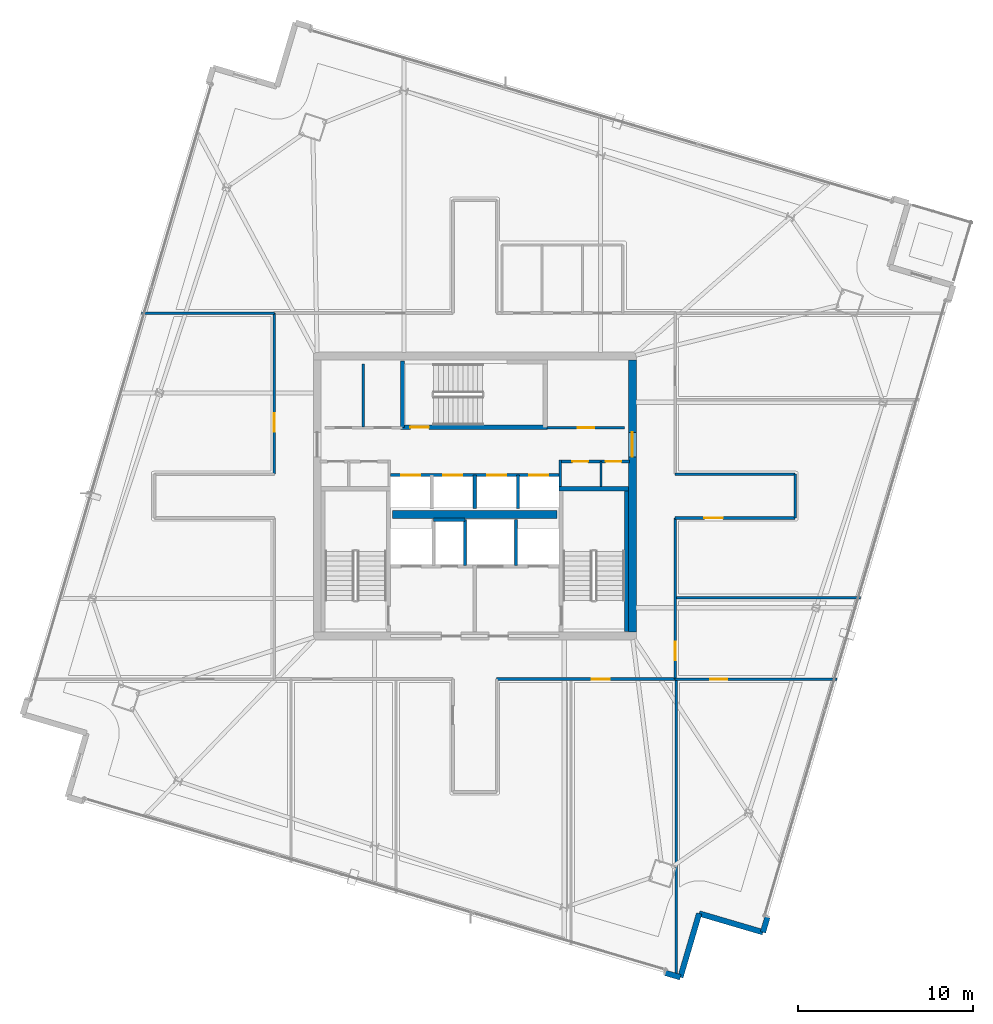
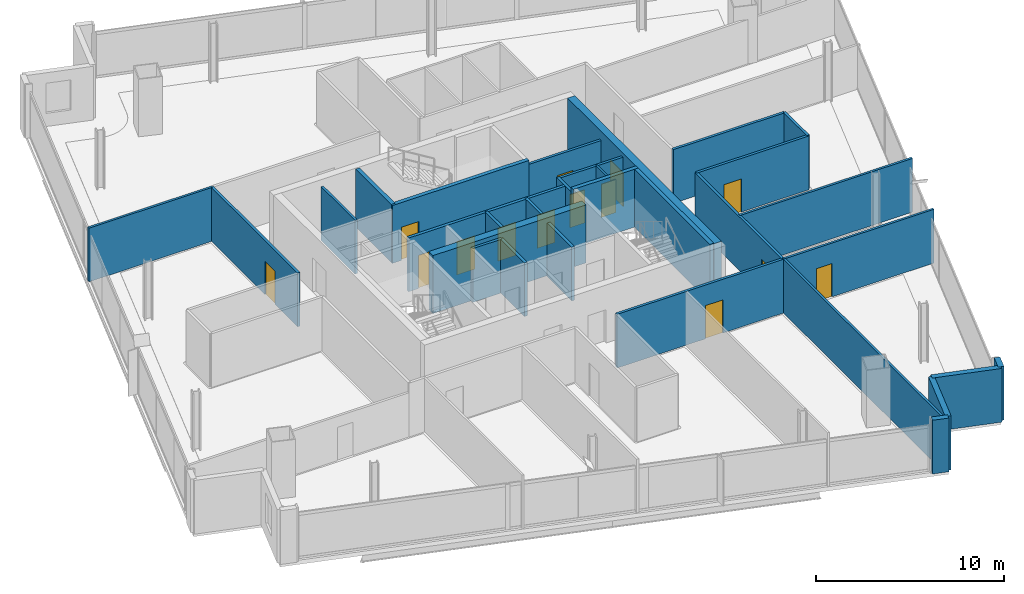
# One storey, part 21 of 26: 31 walls, 14 doors, 14 openings.
"""IFC4 building model written with IfcOpenShell, lengths in metres."""

from ifc_helpers import new_model, si_unit, direction, frame, frame_2d, origin, place, context, subcontext, project, spatial, rectangle, extrude, material, layer, layer_set, type_object, element, fill, save


model = new_model("IFC4")

# Units and contexts
model_context = context("Model", 3, precision=1e-05, world=origin(), true_north=direction((0.0, 1.0)))
body_context = subcontext(model_context, "Body", "Model", "MODEL_VIEW")
ifc_project = project(units=[si_unit("LENGTHUNIT", "METRE"), si_unit("AREAUNIT", "SQUARE_METRE"), si_unit("VOLUMEUNIT", "CUBIC_METRE"), si_unit("PLANEANGLEUNIT", "RADIAN"), si_unit("MASSUNIT", "GRAM", prefix="KILO")], contexts=[model_context])

# Site, building, storey
site_placement = place(None, origin())
site = spatial("IfcSite", under=ifc_project, at=site_placement, CompositionType="ELEMENT")
building_placement = place(site_placement, origin())
building = spatial("IfcBuilding", under=site, at=building_placement, Name="Haldenkirk Collegiate Tower", CompositionType="ELEMENT")
storey_placement = place(building_placement, frame((0.0, 0.0, 274.949951171875)))
storey = spatial("IfcBuildingStorey", under=building, at=storey_placement, Name="L69", CompositionType="ELEMENT", Elevation=274.949951171875)

# Wall, opening, door
ifc_material_1 = material(Name="Concrete f'c 55 MPa", Category="concrete")
ifc_layer_1 = layer(ifc_material_1, 0.449951171875)
ifc_layer_set_1 = layer_set([ifc_layer_1], Name="Concrete f'c 55 MPa")
wall_type_1 = type_object("IfcWallType", Name="WL-CORE-450", PredefinedType="SHEAR", material=ifc_layer_set_1)
wall_1_placement = place(storey_placement, frame((45.0, 18.22509765625, 0.0), z_axis=(0.0, 0.0, 1.0), x_axis=(0.0, 1.0, 0.0)))
wall_1 = element("IfcWall", 1, at=wall_1_placement, inside=storey, type_object=wall_type_1, Name="L69 central core shear wall E", PredefinedType="SHEAR", context=body_context, shape_type="SweptSolid", body=[
    extrude(rectangle(XDim=15.5498046875, YDim=0.449951171875, at=frame_2d((7.77490234375, 0.0))), origin(), (0.0, 0.0, 1.0), 3.75),
])
opening_1_placement = place(wall_1_placement, frame((10.014892578125, 0.0, 0.0)))
opening_1 = element("IfcOpeningElement", 2, at=opening_1_placement, cuts=wall_1, Name="Opening D-03", PredefinedType="OPENING", context=body_context, shape_type="SweptSolid", body=[
    extrude(rectangle(XDim=1.39990234375, YDim=2.199951171875, at=frame_2d((0.699951171875, 1.10009765625))), frame((0.0, 0.23486328125, 0.0), z_axis=(0.0, -1.0, 0.0), x_axis=(1.0, 0.0, 0.0)), (0.0, 0.0, 1.0), 0.469970703125),
])
ifc_material_2 = material(Name="Galvanized fire-rated hollow steel door", Category="steel")
ifc_layer_2 = layer(ifc_material_2, 0.06005859375)
ifc_layer_set_2 = layer_set([ifc_layer_2], Name="Galvanized fire-rated hollow steel door")
door_type_1 = type_object("IfcDoorType", Name="DR-LOBBY-FD90-1400", OperationType="NOTDEFINED", PredefinedType="DOOR", material=ifc_layer_set_2)
door_1_placement = place(opening_1_placement, origin())
door_1 = element("IfcDoor", 3, at=door_1_placement, inside=storey, type_object=door_type_1, Name="L69 east lift lobby portal", OperationType="DOUBLE_DOOR_SINGLE_SWING", OverallHeight=2.199951171875, OverallWidth=1.39990234375, PredefinedType="DOOR", context=body_context, shape_type="SweptSolid", body=[
    extrude(rectangle(XDim=1.39990234375, YDim=2.199951171875, at=frame_2d((0.699951171875, 1.10009765625))), frame((0.0, 0.02490234375, 0.0), z_axis=(0.0, -1.0, 0.0), x_axis=(1.0, 0.0, 0.0)), (0.0, 0.0, 1.0), 0.050048828125),
])
fill(opening_1, door_1)

# Walls
wall_2_placement = place(storey_placement, frame((31.31005859375, 24.949951171875, 0.0), z_axis=(0.0, 0.0, 1.0), x_axis=(1.0, 0.0, 0.0)))
element("IfcWall", 4, at=wall_2_placement, inside=storey, type_object=wall_type_1, Name="L69 central core spine shear wall", PredefinedType="SHEAR", context=body_context, shape_type="SweptSolid", body=[
    extrude(rectangle(XDim=9.3798828125, YDim=0.449951171875, at=frame_2d((4.68994140625, 0.0))), origin(), (0.0, 0.0, 1.0), 3.75),
])
ifc_material_3 = material(Name="Precast concrete f'c 40 MPa", Category="concrete")
ifc_layer_3 = layer(ifc_material_3, 0.320068359375)
ifc_layer_set_3 = layer_set([ifc_layer_3], Name="Precast concrete f'c 40 MPa")
wall_type_2 = type_object("IfcWallType", Name="WL-EXT-TWR-320", PredefinedType="STANDARD", material=ifc_layer_set_3)
for number, where, z_axis, x_axis, name in (
    (5, (52.71533203125, 1.9521484375, 0.0), (0.0, 0.0, 1.0), (-0.282416007669, -0.959292029891, 0.0), "L69 precast corner pier SR"),
    (6, (47.742919921875, -1.483642578125, 0.0), (0.0, 0.0, 1.0), (-0.959292029891, 0.282416007669, 0.0), "L69 precast corner pier WL"),
):
    element("IfcWall", number, at=place(storey_placement, frame(where, z_axis=z_axis, x_axis=x_axis)), inside=storey, type_object=wall_type_2, Name=name, PredefinedType="STANDARD", context=body_context, shape_type="SweptSolid", body=[
        extrude(rectangle(XDim=0.89990234375, YDim=0.320068359375, at=frame_2d((0.449951171875, 0.0))), origin(), (0.0, 0.0, 1.0), 3.47998046875),
    ])
for number, where, z_axis, x_axis, name in (
    (7, (48.81591796875, 2.16162109375, 0.0), (0.0, 0.0, 1.0), (-0.282375024752, -0.959304094329, 0.0), "L69 bronze precast notch wall 11"),
    (8, (52.461181640625, 1.0888671875, 0.0), (0.0, 0.0, 1.0), (-0.959321496859, 0.282315896939, 0.0), "L69 bronze precast notch wall 12"),
):
    element("IfcWall", number, at=place(storey_placement, frame(where, z_axis=z_axis, x_axis=x_axis)), inside=storey, type_object=wall_type_2, Name=name, PredefinedType="STANDARD", context=body_context, shape_type="SweptSolid", body=[
        extrude(rectangle(XDim=3.7998046875, YDim=0.320068359375, at=frame_2d((1.89990234375, 0.0))), origin(), (0.0, 0.0, 1.0), 3.47998046875),
    ])

# Wall, openings, doors
ifc_material_4 = material(Name="Acoustic fire-rated gypsum partition", Category="concrete")
ifc_layer_4 = layer(ifc_material_4, 0.159912109375)
ifc_layer_set_4 = layer_set([ifc_layer_4], Name="Acoustic fire-rated gypsum partition")
wall_type_3 = type_object("IfcWallType", Name="WL-INT-CORR-160", PredefinedType="PARTITIONING", material=ifc_layer_set_4)
wall_3_placement = place(storey_placement, frame((40.800048828125, 27.97998046875, 0.0), z_axis=(0.0, 0.0, 1.0), x_axis=(1.0, 0.0, 0.0)))
wall_3 = element("IfcWall", 9, at=wall_3_placement, inside=storey, type_object=wall_type_3, Name="L69 interior partition IW-L69-VCSE-N", PredefinedType="PARTITIONING", context=body_context, shape_type="SweptSolid", body=[
    extrude(rectangle(XDim=4.050048828125, YDim=0.159912109375, at=frame_2d((2.02490234375, 0.0))), origin(), (0.0, 0.0, 1.0), 3.47998046875),
])
opening_2_placement = place(wall_3_placement, frame((0.77001953125, 0.0, 0.0)))
opening_2 = element("IfcOpeningElement", 10, at=opening_2_placement, cuts=wall_3, Name="Opening D-11", PredefinedType="OPENING", context=body_context, shape_type="SweptSolid", body=[
    extrude(rectangle(XDim=0.89990234375, YDim=2.14990234375, at=frame_2d((0.449951171875, 1.074951171875))), frame((0.0, 0.08984375, 0.0), z_axis=(0.0, -1.0, 0.0), x_axis=(1.0, 0.0, 0.0)), (0.0, 0.0, 1.0), 0.179931640625),
])
opening_3_placement = place(wall_3_placement, frame((2.679931640625, 0.0, 0.0)))
opening_3 = element("IfcOpeningElement", 11, at=opening_3_placement, cuts=wall_3, Name="Opening D-11", PredefinedType="OPENING", context=body_context, shape_type="SweptSolid", body=[
    extrude(rectangle(XDim=0.89990234375, YDim=2.14990234375, at=frame_2d((0.449951171875, 1.074951171875))), frame((0.0, 0.08984375, 0.0), z_axis=(0.0, -1.0, 0.0), x_axis=(1.0, 0.0, 0.0)), (0.0, 0.0, 1.0), 0.179931640625),
])
ifc_material_5 = material(Name="Solid-core architectural oak fire door", Category="wood")
ifc_layer_5 = layer(ifc_material_5, 0.06005859375)
ifc_layer_set_5 = layer_set([ifc_layer_5], Name="Solid-core architectural oak fire door")
door_type_2 = type_object("IfcDoorType", Name="DR-INT-FD60-900", OperationType="NOTDEFINED", PredefinedType="DOOR", material=ifc_layer_set_5)
door_2_placement = place(opening_2_placement, origin())
door_2 = element("IfcDoor", 12, at=door_2_placement, inside=storey, type_object=door_type_2, Name="L69 core archive door", OperationType="SINGLE_SWING_LEFT", OverallHeight=2.14990234375, OverallWidth=0.89990234375, PredefinedType="DOOR", context=body_context, shape_type="SweptSolid", body=[
    extrude(rectangle(XDim=0.89990234375, YDim=2.14990234375, at=frame_2d((0.449951171875, 1.074951171875))), frame((0.0, 0.02490234375, 0.0), z_axis=(0.0, -1.0, 0.0), x_axis=(1.0, 0.0, 0.0)), (0.0, 0.0, 1.0), 0.050048828125),
])
fill(opening_2, door_2)
door_3_placement = place(opening_3_placement, origin())
door_3 = element("IfcDoor", 13, at=door_3_placement, inside=storey, type_object=door_type_2, Name="L69 core telecom door", OperationType="SINGLE_SWING_RIGHT", OverallHeight=2.14990234375, OverallWidth=0.89990234375, PredefinedType="DOOR", context=body_context, shape_type="SweptSolid", body=[
    extrude(rectangle(XDim=0.89990234375, YDim=2.14990234375, at=frame_2d((0.449951171875, 1.074951171875))), frame((0.0, 0.02490234375, 0.0), z_axis=(0.0, -1.0, 0.0), x_axis=(1.0, 0.0, 0.0)), (0.0, 0.0, 1.0), 0.050048828125),
])
fill(opening_3, door_3)

# Wall
wall_4_placement = place(storey_placement, frame((40.8798828125, 26.5400390625, 0.0), z_axis=(0.0, 0.0, 1.0), x_axis=(0.0, 1.0, 0.0)))
element("IfcWall", 14, at=wall_4_placement, inside=storey, type_object=wall_type_3, Name="L69 interior partition IW-L69-VCSE-W", PredefinedType="PARTITIONING", context=body_context, shape_type="SweptSolid", body=[
    extrude(rectangle(XDim=1.510009765625, YDim=0.159912109375, at=frame_2d((0.7548828125, 0.0))), origin(), (0.0, 0.0, 1.0), 3.47998046875),
])

# Wall, opening, door
wall_5_placement = place(storey_placement, frame((40.1201171875, 29.89990234375, 0.0), z_axis=(0.0, 0.0, 1.0), x_axis=(1.0, 0.0, 0.0)))
wall_5 = element("IfcWall", 15, at=wall_5_placement, inside=storey, type_object=wall_type_3, Name="L69 interior partition IW-L69-PMS", PredefinedType="PARTITIONING", context=body_context, shape_type="SweptSolid", body=[
    extrude(rectangle(XDim=4.429931640625, YDim=0.159912109375, at=frame_2d((2.21484375, 0.0))), origin(), (0.0, 0.0, 1.0), 3.47998046875),
])
opening_4_placement = place(wall_5_placement, frame((1.7548828125, 0.0, 0.0)))
opening_4 = element("IfcOpeningElement", 16, at=opening_4_placement, cuts=wall_5, Name="Opening D-10", PredefinedType="OPENING", context=body_context, shape_type="SweptSolid", body=[
    extrude(rectangle(XDim=0.949951171875, YDim=2.14990234375, at=frame_2d((0.47509765625, 1.074951171875))), frame((0.0, 0.08984375, 0.0), z_axis=(0.0, -1.0, 0.0), x_axis=(1.0, 0.0, 0.0)), (0.0, 0.0, 1.0), 0.179931640625),
])
ifc_layer_6 = layer(ifc_material_5, 0.06005859375)
ifc_layer_set_6 = layer_set([ifc_layer_6], Name="Solid-core architectural oak fire door")
door_type_3 = type_object("IfcDoorType", Name="DR-INT-FD60-950", OperationType="NOTDEFINED", PredefinedType="DOOR", material=ifc_layer_set_6)
door_4_placement = place(opening_4_placement, origin())
door_4 = element("IfcDoor", 17, at=door_4_placement, inside=storey, type_object=door_type_3, Name="L69 reference archive door", OperationType="SINGLE_SWING_LEFT", OverallHeight=2.14990234375, OverallWidth=0.949951171875, PredefinedType="DOOR", context=body_context, shape_type="SweptSolid", body=[
    extrude(rectangle(XDim=0.949951171875, YDim=2.14990234375, at=frame_2d((0.47509765625, 1.074951171875))), frame((0.0, 0.02490234375, 0.0), z_axis=(0.0, -1.0, 0.0), x_axis=(1.0, 0.0, 0.0)), (0.0, 0.0, 1.0), 0.050048828125),
])
fill(opening_4, door_4)

wall_6_placement = place(storey_placement, frame((37.25, 15.550048828125, 0.0), z_axis=(0.0, 0.0, 1.0), x_axis=(1.0, 0.0, 0.0)))
wall_6 = element("IfcWall", 18, at=wall_6_placement, inside=storey, type_object=wall_type_3, Name="L69 interior partition IW-L69-CS2", PredefinedType="PARTITIONING", context=body_context, shape_type="SweptSolid", body=[
    extrude(rectangle(XDim=10.25, YDim=0.159912109375, at=frame_2d((5.125, 0.0))), origin(), (0.0, 0.0, 1.0), 3.47998046875),
])
opening_5_placement = place(wall_6_placement, frame((5.4189453125, 0.0, 0.0)))
opening_5 = element("IfcOpeningElement", 19, at=opening_5_placement, cuts=wall_6, Name="Opening D-09", PredefinedType="OPENING", context=body_context, shape_type="SweptSolid", body=[
    extrude(rectangle(XDim=1.050048828125, YDim=2.14990234375, at=frame_2d((0.52490234375, 1.074951171875))), frame((0.0, 0.08984375, 0.0), z_axis=(0.0, -1.0, 0.0), x_axis=(1.0, 0.0, 0.0)), (0.0, 0.0, 1.0), 0.179931640625),
])
ifc_layer_7 = layer(ifc_material_5, 0.06005859375)
ifc_layer_set_7 = layer_set([ifc_layer_7], Name="Solid-core architectural oak fire door")
door_type_4 = type_object("IfcDoorType", Name="DR-INT-FD60-1050", OperationType="NOTDEFINED", PredefinedType="DOOR", material=ifc_layer_set_7)
door_5_placement = place(opening_5_placement, origin())
door_5 = element("IfcDoor", 20, at=door_5_placement, inside=storey, type_object=door_type_4, Name="L69 Faculty Club Lounge 4 door", OperationType="SINGLE_SWING_RIGHT", OverallHeight=2.14990234375, OverallWidth=1.050048828125, PredefinedType="DOOR", context=body_context, shape_type="SweptSolid", body=[
    extrude(rectangle(XDim=1.050048828125, YDim=2.14990234375, at=frame_2d((0.52490234375, 1.074951171875))), frame((0.0, 0.02490234375, 0.0), z_axis=(0.0, -1.0, 0.0), x_axis=(1.0, 0.0, 0.0)), (0.0, 0.0, 1.0), 0.050048828125),
])
fill(opening_5, door_5)

wall_7_placement = place(storey_placement, frame((24.550048828125, 27.25, 0.0), z_axis=(0.0, 0.0, 1.0), x_axis=(0.0, 1.0, 0.0)))
wall_7 = element("IfcWall", 21, at=wall_7_placement, inside=storey, type_object=wall_type_3, Name="L69 interior partition IW-L69-CW2", PredefinedType="PARTITIONING", context=body_context, shape_type="SweptSolid", body=[
    extrude(rectangle(XDim=9.199951171875, YDim=0.159912109375, at=frame_2d((4.60009765625, 0.0))), origin(), (0.0, 0.0, 1.0), 3.47998046875),
])
opening_6_placement = place(wall_7_placement, frame((2.4189453125, 0.0, 0.0)))
opening_6 = element("IfcOpeningElement", 22, at=opening_6_placement, cuts=wall_7, Name="Opening D-09", PredefinedType="OPENING", context=body_context, shape_type="SweptSolid", body=[
    extrude(rectangle(XDim=1.050048828125, YDim=2.14990234375, at=frame_2d((0.52490234375, 1.074951171875))), frame((0.0, 0.08984375, 0.0), z_axis=(0.0, -1.0, 0.0), x_axis=(1.0, 0.0, 0.0)), (0.0, 0.0, 1.0), 0.179931640625),
])
door_6_placement = place(opening_6_placement, origin())
door_6 = element("IfcDoor", 23, at=door_6_placement, inside=storey, type_object=door_type_4, Name="L69 Collegiate Commons Lounge 7 door", OperationType="SINGLE_SWING_LEFT", OverallHeight=2.14990234375, OverallWidth=1.050048828125, PredefinedType="DOOR", context=body_context, shape_type="SweptSolid", body=[
    extrude(rectangle(XDim=1.050048828125, YDim=2.14990234375, at=frame_2d((0.52490234375, 1.074951171875))), frame((0.0, 0.02490234375, 0.0), z_axis=(0.0, -1.0, 0.0), x_axis=(1.0, 0.0, 0.0)), (0.0, 0.0, 1.0), 0.050048828125),
])
fill(opening_6, door_6)

wall_8_placement = place(storey_placement, frame((47.449951171875, 15.550048828125, 0.0), z_axis=(0.0, 0.0, 1.0), x_axis=(0.0, 1.0, 0.0)))
wall_8 = element("IfcWall", 24, at=wall_8_placement, inside=storey, type_object=wall_type_3, Name="L69 interior partition IW-L69-CE1", PredefinedType="PARTITIONING", context=body_context, shape_type="SweptSolid", body=[
    extrude(rectangle(XDim=9.199951171875, YDim=0.159912109375, at=frame_2d((4.60009765625, 0.0))), origin(), (0.0, 0.0, 1.0), 3.47998046875),
])
opening_7_placement = place(wall_8_placement, frame((1.069091796875, 0.0, 0.0)))
opening_7 = element("IfcOpeningElement", 25, at=opening_7_placement, cuts=wall_8, Name="Opening D-09", PredefinedType="OPENING", context=body_context, shape_type="SweptSolid", body=[
    extrude(rectangle(XDim=1.050048828125, YDim=2.14990234375, at=frame_2d((0.52490234375, 1.074951171875))), frame((0.0, 0.08984375, 0.0), z_axis=(0.0, -1.0, 0.0), x_axis=(1.0, 0.0, 0.0)), (0.0, 0.0, 1.0), 0.179931640625),
])
door_7_placement = place(opening_7_placement, origin())
door_7 = element("IfcDoor", 26, at=door_7_placement, inside=storey, type_object=door_type_4, Name="L69 Student Reading Lounge 8 door", OperationType="SINGLE_SWING_RIGHT", OverallHeight=2.14990234375, OverallWidth=1.050048828125, PredefinedType="DOOR", context=body_context, shape_type="SweptSolid", body=[
    extrude(rectangle(XDim=1.050048828125, YDim=2.14990234375, at=frame_2d((0.52490234375, 1.074951171875))), frame((0.0, 0.02490234375, 0.0), z_axis=(0.0, -1.0, 0.0), x_axis=(1.0, 0.0, 0.0)), (0.0, 0.0, 1.0), 0.050048828125),
])
fill(opening_7, door_7)

wall_9_placement = place(storey_placement, frame((47.449951171875, 24.75, 0.0), z_axis=(0.0, 0.0, 1.0), x_axis=(1.0, 0.0, 0.0)))
wall_9 = element("IfcWall", 27, at=wall_9_placement, inside=storey, type_object=wall_type_3, Name="L69 interior partition IW-L69-EPS", PredefinedType="PARTITIONING", context=body_context, shape_type="SweptSolid", body=[
    extrude(rectangle(XDim=6.85009765625, YDim=0.159912109375, at=frame_2d((3.425048828125, 0.0))), origin(), (0.0, 0.0, 1.0), 3.47998046875),
])
opening_8_placement = place(wall_9_placement, frame((1.6669921875, 0.0, 0.0)))
opening_8 = element("IfcOpeningElement", 28, at=opening_8_placement, cuts=wall_9, Name="Opening D-09", PredefinedType="OPENING", context=body_context, shape_type="SweptSolid", body=[
    extrude(rectangle(XDim=1.050048828125, YDim=2.14990234375, at=frame_2d((0.52490234375, 1.074951171875))), frame((0.0, 0.08984375, 0.0), z_axis=(0.0, -1.0, 0.0), x_axis=(1.0, 0.0, 0.0)), (0.0, 0.0, 1.0), 0.179931640625),
])
door_8_placement = place(opening_8_placement, origin())
door_8 = element("IfcDoor", 29, at=door_8_placement, inside=storey, type_object=door_type_4, Name="L69 Graduate Study Lounge 9 door", OperationType="SINGLE_SWING_LEFT", OverallHeight=2.14990234375, OverallWidth=1.050048828125, PredefinedType="DOOR", context=body_context, shape_type="SweptSolid", body=[
    extrude(rectangle(XDim=1.050048828125, YDim=2.14990234375, at=frame_2d((0.52490234375, 1.074951171875))), frame((0.0, 0.02490234375, 0.0), z_axis=(0.0, -1.0, 0.0), x_axis=(1.0, 0.0, 0.0)), (0.0, 0.0, 1.0), 0.050048828125),
])
fill(opening_8, door_8)

# Walls
wall_10_placement = place(storey_placement, frame((47.449951171875, 27.25, 0.0), z_axis=(0.0, 0.0, 1.0), x_axis=(1.0, 0.0, 0.0)))
element("IfcWall", 30, at=wall_10_placement, inside=storey, type_object=wall_type_3, Name="L69 interior partition IW-L69-EPN", PredefinedType="PARTITIONING", context=body_context, shape_type="SweptSolid", body=[
    extrude(rectangle(XDim=6.85009765625, YDim=0.159912109375, at=frame_2d((3.425048828125, 0.0))), origin(), (0.0, 0.0, 1.0), 3.47998046875),
])
wall_11_placement = place(storey_placement, frame((54.300048828125, 24.75, 0.0), z_axis=(0.0, 0.0, 1.0), x_axis=(0.0, 1.0, 0.0)))
element("IfcWall", 31, at=wall_11_placement, inside=storey, type_object=wall_type_3, Name="L69 interior partition IW-L69-EPE", PredefinedType="PARTITIONING", context=body_context, shape_type="SweptSolid", body=[
    extrude(rectangle(XDim=2.5, YDim=0.159912109375, at=frame_2d((1.25, 0.0))), origin(), (0.0, 0.0, 1.0), 3.47998046875),
])
ifc_layer_8 = layer(ifc_material_4, 0.139892578125)
ifc_layer_set_8 = layer_set([ifc_layer_8], Name="Acoustic fire-rated gypsum partition")
wall_type_4 = type_object("IfcWallType", Name="WL-INT-DIV-140", PredefinedType="PARTITIONING", material=ifc_layer_set_8)
wall_12_placement = place(storey_placement, frame((29.6201171875, 29.949951171875, 0.0), z_axis=(0.0, 0.0, 1.0), x_axis=(0.0, 1.0, 0.0)))
element("IfcWall", 32, at=wall_12_placement, inside=storey, type_object=wall_type_4, Name="L69 interior partition IW-L69-PLDIV", PredefinedType="PARTITIONING", context=body_context, shape_type="SweptSolid", body=[
    extrude(rectangle(XDim=3.60009765625, YDim=0.139892578125, at=frame_2d((1.800048828125, 0.0))), origin(), (0.0, 0.0, 1.0), 3.47998046875),
])
wall_13_placement = place(storey_placement, frame((16.966064453125, 36.449951171875, 0.0), z_axis=(0.0, 0.0, 1.0), x_axis=(1.0, 0.0, 0.0)))
element("IfcWall", 33, at=wall_13_placement, inside=storey, type_object=wall_type_4, Name="L69 interior partition IW-L69-BWN", PredefinedType="PARTITIONING", context=body_context, shape_type="SweptSolid", body=[
    extrude(rectangle(XDim=7.583984375, YDim=0.139892578125, at=frame_2d((3.7919921875, 0.0))), origin(), (0.0, 0.0, 1.0), 3.47998046875),
])

# Wall, opening, door
wall_14_placement = place(storey_placement, frame((47.449951171875, 15.550048828125, 0.0), z_axis=(0.0, 0.0, 1.0), x_axis=(1.0, 0.0, 0.0)))
wall_14 = element("IfcWall", 34, at=wall_14_placement, inside=storey, type_object=wall_type_4, Name="L69 interior partition IW-L69-BES", PredefinedType="PARTITIONING", context=body_context, shape_type="SweptSolid", body=[
    extrude(rectangle(XDim=9.225830078125, YDim=0.139892578125, at=frame_2d((4.61279296875, 0.0))), origin(), (0.0, 0.0, 1.0), 3.47998046875),
])
opening_9_placement = place(wall_14_placement, frame((2.008056640625, 0.0, 0.0)))
opening_9 = element("IfcOpeningElement", 35, at=opening_9_placement, cuts=wall_14, Name="Opening D-12", PredefinedType="OPENING", context=body_context, shape_type="SweptSolid", body=[
    extrude(rectangle(XDim=0.949951171875, YDim=2.14990234375, at=frame_2d((0.47509765625, 1.074951171875))), frame((0.0, 0.079833984375, 0.0), z_axis=(0.0, -1.0, 0.0), x_axis=(1.0, 0.0, 0.0)), (0.0, 0.0, 1.0), 0.159912109375),
])
ifc_layer_9 = layer(ifc_material_5, 0.06005859375)
ifc_layer_set_9 = layer_set([ifc_layer_9], Name="Solid-core architectural oak fire door")
door_type_5 = type_object("IfcDoorType", Name="DR-INT-STD-950", OperationType="NOTDEFINED", PredefinedType="DOOR", material=ifc_layer_set_9)
door_9_placement = place(opening_9_placement, origin())
door_9 = element("IfcDoor", 36, at=door_9_placement, inside=storey, type_object=door_type_5, Name="L69 Periodical Reading Lounge 5 door", OperationType="SINGLE_SWING_LEFT", OverallHeight=2.14990234375, OverallWidth=0.949951171875, PredefinedType="DOOR", context=body_context, shape_type="SweptSolid", body=[
    extrude(rectangle(XDim=0.949951171875, YDim=2.14990234375, at=frame_2d((0.47509765625, 1.074951171875))), frame((0.0, 0.02490234375, 0.0), z_axis=(0.0, -1.0, 0.0), x_axis=(1.0, 0.0, 0.0)), (0.0, 0.0, 1.0), 0.050048828125),
])
fill(opening_9, door_9)

# Walls
wall_15_placement = place(storey_placement, frame((47.5, -1.37060546875, 0.0), z_axis=(0.0, 0.0, 1.0), x_axis=(0.0, 1.0, 0.0)))
element("IfcWall", 37, at=wall_15_placement, inside=storey, type_object=wall_type_4, Name="L69 interior partition IW-L69-RS4", PredefinedType="PARTITIONING", context=body_context, shape_type="SweptSolid", body=[
    extrude(rectangle(XDim=16.920654296875, YDim=0.139892578125, at=frame_2d((8.46044921875, 0.0))), origin(), (0.0, 0.0, 1.0), 3.47998046875),
])
wall_16_placement = place(storey_placement, frame((47.449951171875, 20.199951171875, 0.0), z_axis=(0.0, 0.0, 1.0), x_axis=(1.0, 0.0, 0.0)))
element("IfcWall", 38, at=wall_16_placement, inside=storey, type_object=wall_type_4, Name="L69 interior partition IW-L69-RE1", PredefinedType="PARTITIONING", context=body_context, shape_type="SweptSolid", body=[
    extrude(rectangle(XDim=10.59423828125, YDim=0.139892578125, at=frame_2d((5.297119140625, 0.0))), origin(), (0.0, 0.0, 1.0), 3.47998046875),
])
ifc_material_6 = material(Name="Fire-rated gypsum shaftboard assembly", Category="concrete")
ifc_layer_10 = layer(ifc_material_6, 0.179931640625)
ifc_layer_set_10 = layer_set([ifc_layer_10], Name="Fire-rated gypsum shaftboard assembly")
wall_type_5 = type_object("IfcWallType", Name="WL-INT-SHAFT-180", PredefinedType="PARTITIONING", material=ifc_layer_set_10)
wall_17_placement = place(storey_placement, frame((35.449951171875, 22.050048828125, 0.0), z_axis=(0.0, 0.0, 1.0), x_axis=(0.0, 1.0, 0.0)))
element("IfcWall", 39, at=wall_17_placement, inside=storey, type_object=wall_type_5, Name="L69 interior partition IW-L69-GL1W", PredefinedType="PARTITIONING", context=body_context, shape_type="SweptSolid", body=[
    extrude(rectangle(XDim=2.599853515625, YDim=0.179931640625, at=frame_2d((1.2998046875, 0.0))), origin(), (0.0, 0.0, 1.0), 3.47998046875),
])
wall_18_placement = place(storey_placement, frame((33.64990234375, 24.64990234375, 0.0), z_axis=(0.0, 0.0, 1.0), x_axis=(1.0, 0.0, 0.0)))
element("IfcWall", 40, at=wall_18_placement, inside=storey, type_object=wall_type_5, Name="L69 interior partition IW-L69-RSRN", PredefinedType="PARTITIONING", context=body_context, shape_type="SweptSolid", body=[
    extrude(rectangle(XDim=1.800048828125, YDim=0.179931640625, at=frame_2d((0.89990234375, 0.0))), origin(), (0.0, 0.0, 1.0), 3.47998046875),
])
wall_19_placement = place(storey_placement, frame((38.35009765625, 22.050048828125, 0.0), z_axis=(0.0, 0.0, 1.0), x_axis=(0.0, 1.0, 0.0)))
element("IfcWall", 41, at=wall_19_placement, inside=storey, type_object=wall_type_5, Name="L69 interior partition IW-L69-GL1E", PredefinedType="PARTITIONING", context=body_context, shape_type="SweptSolid", body=[
    extrude(rectangle(XDim=2.599853515625, YDim=0.179931640625, at=frame_2d((1.2998046875, 0.0))), origin(), (0.0, 0.0, 1.0), 3.47998046875),
])

# Wall, openings, doors
wall_20_placement = place(storey_placement, frame((31.199951171875, 27.199951171875, 0.0), z_axis=(0.0, 0.0, 1.0), x_axis=(1.0, 0.0, 0.0)))
wall_20 = element("IfcWall", 42, at=wall_20_placement, inside=storey, type_object=wall_type_5, Name="L69 interior partition IW-L69-PHN", PredefinedType="PARTITIONING", context=body_context, shape_type="SweptSolid", body=[
    extrude(rectangle(XDim=9.60009765625, YDim=0.179931640625, at=frame_2d((4.800048828125, 0.0))), origin(), (0.0, 0.0, 1.0), 3.47998046875),
])
opening_10_placement = place(wall_20_placement, frame((0.590087890625, 0.0, 0.0)))
opening_10 = element("IfcOpeningElement", 43, at=opening_10_placement, cuts=wall_20, Name="Opening LD-11", PredefinedType="OPENING", context=body_context, shape_type="SweptSolid", body=[
    extrude(rectangle(XDim=1.10009765625, YDim=2.14990234375, at=frame_2d((0.550048828125, 1.074951171875))), frame((0.0, 0.099853515625, 0.0), z_axis=(0.0, -1.0, 0.0), x_axis=(1.0, 0.0, 0.0)), (0.0, 0.0, 1.0), 0.199951171875),
])
opening_11_placement = place(wall_20_placement, frame((2.989990234375, 0.0, 0.0)))
opening_11 = element("IfcOpeningElement", 44, at=opening_11_placement, cuts=wall_20, Name="Opening LD-11", PredefinedType="OPENING", context=body_context, shape_type="SweptSolid", body=[
    extrude(rectangle(XDim=1.10009765625, YDim=2.14990234375, at=frame_2d((0.550048828125, 1.074951171875))), frame((0.0, 0.099853515625, 0.0), z_axis=(0.0, -1.0, 0.0), x_axis=(1.0, 0.0, 0.0)), (0.0, 0.0, 1.0), 0.199951171875),
])
opening_12_placement = place(wall_20_placement, frame((5.510009765625, 0.0, 0.0)))
opening_12 = element("IfcOpeningElement", 45, at=opening_12_placement, cuts=wall_20, Name="Opening LD-11", PredefinedType="OPENING", context=body_context, shape_type="SweptSolid", body=[
    extrude(rectangle(XDim=1.10009765625, YDim=2.14990234375, at=frame_2d((0.550048828125, 1.074951171875))), frame((0.0, 0.099853515625, 0.0), z_axis=(0.0, -1.0, 0.0), x_axis=(1.0, 0.0, 0.0)), (0.0, 0.0, 1.0), 0.199951171875),
])
opening_13_placement = place(wall_20_placement, frame((7.909912109375, 0.0, 0.0)))
opening_13 = element("IfcOpeningElement", 46, at=opening_13_placement, cuts=wall_20, Name="Opening LD-11", PredefinedType="OPENING", context=body_context, shape_type="SweptSolid", body=[
    extrude(rectangle(XDim=1.10009765625, YDim=2.14990234375, at=frame_2d((0.550048828125, 1.074951171875))), frame((0.0, 0.099853515625, 0.0), z_axis=(0.0, -1.0, 0.0), x_axis=(1.0, 0.0, 0.0)), (0.0, 0.0, 1.0), 0.199951171875),
])
ifc_material_7 = material(Name="Brushed architectural stainless steel", Category="steel")
ifc_layer_11 = layer(ifc_material_7, 0.06005859375)
ifc_layer_set_11 = layer_set([ifc_layer_11], Name="Brushed architectural stainless steel")
door_type_6 = type_object("IfcDoorType", Name="LD-PASS-1100", OperationType="NOTDEFINED", PredefinedType="DOOR", material=ifc_layer_set_11)
door_10_placement = place(opening_10_placement, origin())
door_10 = element("IfcDoor", 47, at=door_10_placement, inside=storey, type_object=door_type_6, Name="L69 Elevator PH1 sliding landing door", OperationType="SLIDING_TO_LEFT", OverallHeight=2.14990234375, OverallWidth=1.10009765625, PredefinedType="DOOR", context=body_context, shape_type="SweptSolid", body=[
    extrude(rectangle(XDim=1.10009765625, YDim=2.14990234375, at=frame_2d((0.550048828125, 1.074951171875))), frame((0.0, 0.02490234375, 0.0), z_axis=(0.0, -1.0, 0.0), x_axis=(1.0, 0.0, 0.0)), (0.0, 0.0, 1.0), 0.050048828125),
])
fill(opening_10, door_10)
door_11_placement = place(opening_11_placement, origin())
door_11 = element("IfcDoor", 48, at=door_11_placement, inside=storey, type_object=door_type_6, Name="L69 Elevator PH2 sliding landing door", OperationType="SLIDING_TO_LEFT", OverallHeight=2.14990234375, OverallWidth=1.10009765625, PredefinedType="DOOR", context=body_context, shape_type="SweptSolid", body=[
    extrude(rectangle(XDim=1.10009765625, YDim=2.14990234375, at=frame_2d((0.550048828125, 1.074951171875))), frame((0.0, 0.02490234375, 0.0), z_axis=(0.0, -1.0, 0.0), x_axis=(1.0, 0.0, 0.0)), (0.0, 0.0, 1.0), 0.050048828125),
])
fill(opening_11, door_11)
door_12_placement = place(opening_12_placement, origin())
door_12 = element("IfcDoor", 49, at=door_12_placement, inside=storey, type_object=door_type_6, Name="L69 Elevator PH3 sliding landing door", OperationType="SLIDING_TO_LEFT", OverallHeight=2.14990234375, OverallWidth=1.10009765625, PredefinedType="DOOR", context=body_context, shape_type="SweptSolid", body=[
    extrude(rectangle(XDim=1.10009765625, YDim=2.14990234375, at=frame_2d((0.550048828125, 1.074951171875))), frame((0.0, 0.02490234375, 0.0), z_axis=(0.0, -1.0, 0.0), x_axis=(1.0, 0.0, 0.0)), (0.0, 0.0, 1.0), 0.050048828125),
])
fill(opening_12, door_12)
door_13_placement = place(opening_13_placement, origin())
door_13 = element("IfcDoor", 50, at=door_13_placement, inside=storey, type_object=door_type_6, Name="L69 Elevator PH4 sliding landing door", OperationType="SLIDING_TO_LEFT", OverallHeight=2.14990234375, OverallWidth=1.10009765625, PredefinedType="DOOR", context=body_context, shape_type="SweptSolid", body=[
    extrude(rectangle(XDim=1.10009765625, YDim=2.14990234375, at=frame_2d((0.550048828125, 1.074951171875))), frame((0.0, 0.02490234375, 0.0), z_axis=(0.0, -1.0, 0.0), x_axis=(1.0, 0.0, 0.0)), (0.0, 0.0, 1.0), 0.050048828125),
])
fill(opening_13, door_13)

# Walls
for number, where, z_axis, x_axis, name in (
    (51, (36.0, 25.300048828125, 0.0), (0.0, 0.0, 1.0), (0.0, 1.0, 0.0), "L69 interior partition IW-L69-PHV2"),
    (52, (38.4599609375, 25.300048828125, 0.0), (0.0, 0.0, 1.0), (0.0, 1.0, 0.0), "L69 interior partition IW-L69-PHV3"),
):
    element("IfcWall", number, at=place(storey_placement, frame(where, z_axis=z_axis, x_axis=x_axis)), inside=storey, type_object=wall_type_5, Name=name, PredefinedType="PARTITIONING", context=body_context, shape_type="SweptSolid", body=[
        extrude(rectangle(XDim=1.89990234375, YDim=0.179931640625, at=frame_2d((0.949951171875, 0.0))), origin(), (0.0, 0.0, 1.0), 3.47998046875),
    ])
ifc_layer_12 = layer(ifc_material_4, 0.1201171875)
ifc_layer_set_12 = layer_set([ifc_layer_12], Name="Acoustic fire-rated gypsum partition")
wall_type_6 = type_object("IfcWallType", Name="WL-INT-WET-120", PredefinedType="PARTITIONING", material=ifc_layer_set_12)
wall_21_placement = place(storey_placement, frame((43.199951171875, 26.5400390625, 0.0), z_axis=(0.0, 0.0, 1.0), x_axis=(0.0, 1.0, 0.0)))
element("IfcWall", 53, at=wall_21_placement, inside=storey, type_object=wall_type_6, Name="L69 interior partition IW-L69-VCSE-M", PredefinedType="PARTITIONING", context=body_context, shape_type="SweptSolid", body=[
    extrude(rectangle(XDim=1.43994140625, YDim=0.1201171875, at=frame_2d((0.719970703125, 0.0))), origin(), (0.0, 0.0, 1.0), 3.47998046875),
])
ifc_layer_13 = layer(ifc_material_1, 0.239990234375)
ifc_layer_set_13 = layer_set([ifc_layer_13], Name="Concrete f'c 55 MPa")
wall_type_7 = type_object("IfcWallType", Name="WL-SHAFT-240", PredefinedType="SHEAR", material=ifc_layer_set_13)
wall_22_placement = place(storey_placement, frame((40.81005859375, 26.419921875, 0.0), z_axis=(0.0, 0.0, 1.0), x_axis=(1.0, 0.0, 0.0)))
element("IfcWall", 54, at=wall_22_placement, inside=storey, type_object=wall_type_7, Name="L69 stair shaft shear wall SW-L69-ST2N", PredefinedType="SHEAR", context=body_context, shape_type="SweptSolid", body=[
    extrude(rectangle(XDim=3.97998046875, YDim=0.239990234375, at=frame_2d((1.989990234375, 0.0))), origin(), (0.0, 0.0, 1.0), 3.75),
])
wall_23_placement = place(storey_placement, frame((44.669921875, 18.280029296875, 0.0), z_axis=(0.0, 0.0, 1.0), x_axis=(0.0, 1.0, 0.0)))
element("IfcWall", 55, at=wall_23_placement, inside=storey, type_object=wall_type_7, Name="L69 stair shaft shear wall SW-L69-ST2E", PredefinedType="SHEAR", context=body_context, shape_type="SweptSolid", body=[
    extrude(rectangle(XDim=8.260009765625, YDim=0.239990234375, at=frame_2d((4.1298828125, 0.0))), origin(), (0.0, 0.0, 1.0), 3.75),
])

# Wall, opening, door
wall_24_placement = place(storey_placement, frame((31.760009765625, 29.929931640625, 0.0), z_axis=(0.0, 0.0, 1.0), x_axis=(1.0, 0.0, 0.0)))
wall_24 = element("IfcWall", 56, at=wall_24_placement, inside=storey, type_object=wall_type_7, Name="L69 stair shaft shear wall SW-L69-ST3S", PredefinedType="SHEAR", context=body_context, shape_type="SweptSolid", body=[
    extrude(rectangle(XDim=8.3798828125, YDim=0.239990234375, at=frame_2d((4.18994140625, 0.0))), origin(), (0.0, 0.0, 1.0), 3.75),
])
opening_14_placement = place(wall_24_placement, frame((0.56494140625, 0.0, 0.0)))
opening_14 = element("IfcOpeningElement", 57, at=opening_14_placement, cuts=wall_24, Name="Opening D-01", PredefinedType="OPENING", context=body_context, shape_type="SweptSolid", body=[
    extrude(rectangle(XDim=1.050048828125, YDim=2.14990234375, at=frame_2d((0.52490234375, 1.074951171875))), frame((0.0, 0.1298828125, 0.0), z_axis=(0.0, -1.0, 0.0), x_axis=(1.0, 0.0, 0.0)), (0.0, 0.0, 1.0), 0.260009765625),
])
ifc_layer_14 = layer(ifc_material_2, 0.06005859375)
ifc_layer_set_14 = layer_set([ifc_layer_14], Name="Galvanized fire-rated hollow steel door")
door_type_7 = type_object("IfcDoorType", Name="DR-STAIR-FD90-1050", OperationType="NOTDEFINED", PredefinedType="DOOR", material=ifc_layer_set_14)
door_14_placement = place(opening_14_placement, origin())
door_14 = element("IfcDoor", 58, at=door_14_placement, inside=storey, type_object=door_type_7, Name="L69 lift lobby Stair 3 door", OperationType="SINGLE_SWING_RIGHT", OverallHeight=2.14990234375, OverallWidth=1.050048828125, PredefinedType="DOOR", context=body_context, shape_type="SweptSolid", body=[
    extrude(rectangle(XDim=1.050048828125, YDim=2.14990234375, at=frame_2d((0.52490234375, 1.074951171875))), frame((0.0, 0.02490234375, 0.0), z_axis=(0.0, -1.0, 0.0), x_axis=(1.0, 0.0, 0.0)), (0.0, 0.0, 1.0), 0.050048828125),
])
fill(opening_14, door_14)

# Wall
wall_25_placement = place(storey_placement, frame((31.8798828125, 29.929931640625, 0.0), z_axis=(0.0, 0.0, 1.0), x_axis=(0.0, 1.0, 0.0)))
element("IfcWall", 59, at=wall_25_placement, inside=storey, type_object=wall_type_7, Name="L69 stair shaft shear wall SW-L69-ST3W", PredefinedType="SHEAR", context=body_context, shape_type="SweptSolid", body=[
    extrude(rectangle(XDim=3.7900390625, YDim=0.239990234375, at=frame_2d((1.89501953125, 0.0))), origin(), (0.0, 0.0, 1.0), 3.75),
])

save(model, "model.ifc")
